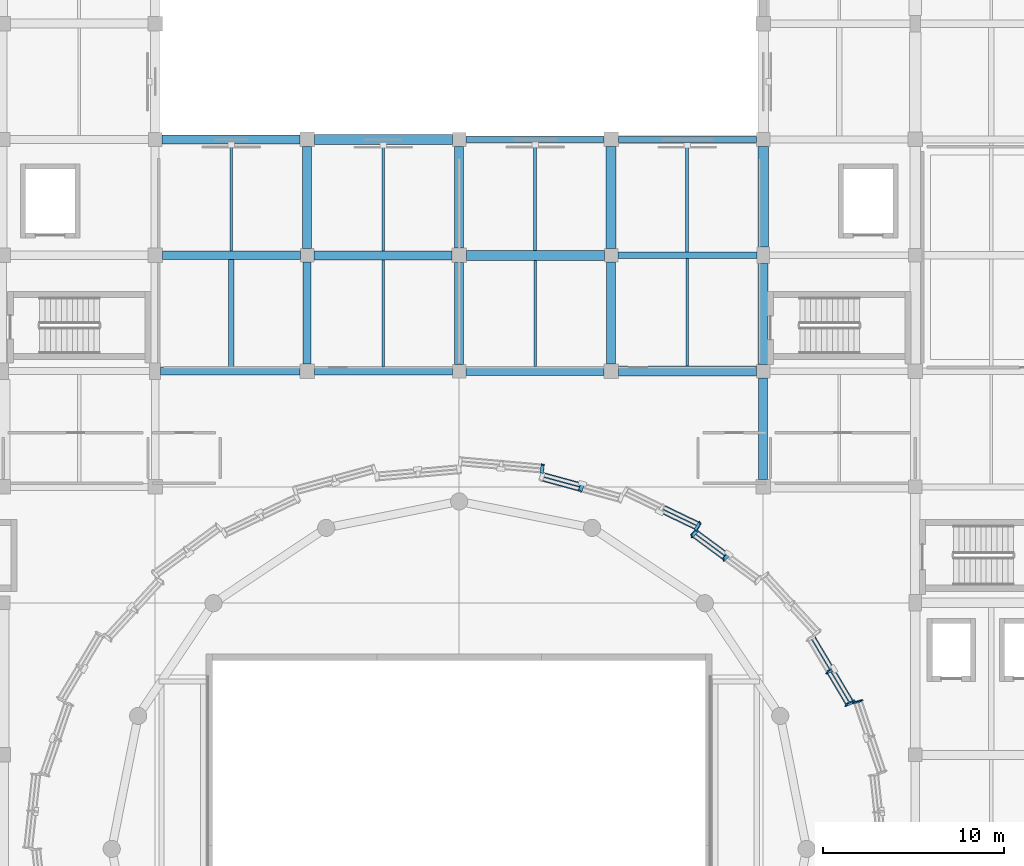
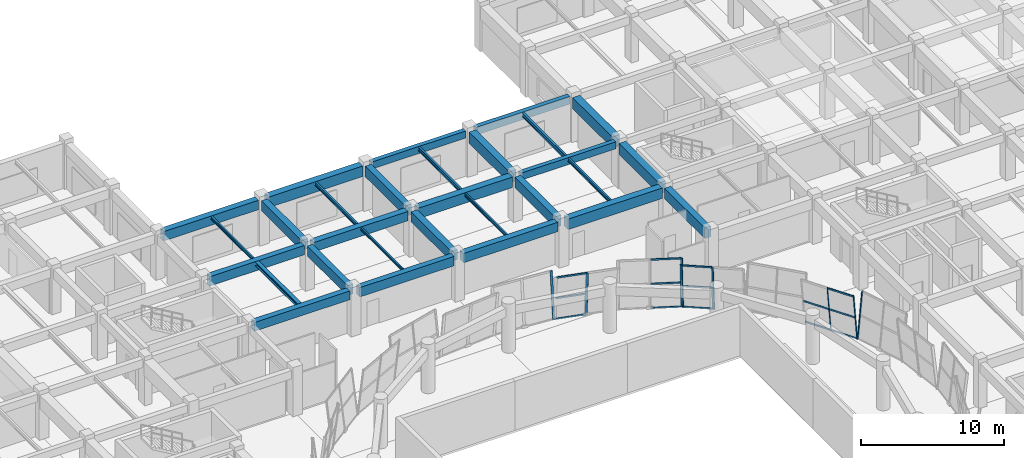
# One storey, part 36 of 71: 29 beams, 22 members, 6 elements without a shape of their own.
"""IFC4 building model written with IfcOpenShell, lengths in metres."""

import ifcopenshell
import ifcopenshell.guid

model = None  # the IFC model being written
_history = None  # IfcOwnerHistory: only IFC2X3 demands one
_inside = {}  # id of a spatial element -> (the spatial element, [elements in it])
_under = {}  # id of a project, library or spatial element -> (it, [spatial elements below it])
_declared = {}  # id of a project -> (the project, [libraries it declares])
_typed = {}  # id of a type object -> (the type object, [elements of that type])
_made_of = {}  # id of a material, layer set ... -> (it, [elements and type objects made of it])


def new_model(schema):
    """Start an empty IFC model of exactly this schema.

    Asked for "IFC4X3", IfcOpenShell would pick the latest addendum, in which some entities
    have other attributes; the version numbers below select the first issue.
    IFC2X3 requires an IfcOwnerHistory on every rooted entity: one is made here for all.
    """
    global model, _history
    if schema == "IFC4X3":
        model = ifcopenshell.file(schema_version=(4, 3, 0, 0))
    else:
        model = ifcopenshell.file(schema=schema)
    _inside.clear()
    _under.clear()
    _declared.clear()
    _typed.clear()
    _made_of.clear()
    _history = None
    if model.schema == "IFC2X3":
        org = make("IfcOrganization", Name="unknown")
        user = make(
            "IfcPersonAndOrganization",
            ThePerson=make("IfcPerson", FamilyName="unknown"),
            TheOrganization=org,
        )
        app = make(
            "IfcApplication",
            ApplicationDeveloper=org,
            Version="unknown",
            ApplicationFullName="unknown",
            ApplicationIdentifier="unknown",
        )
        _history = make(
            "IfcOwnerHistory",
            OwningUser=user,
            OwningApplication=app,
            ChangeAction="ADDED",
            CreationDate=0,
        )
    return model


def make(cls, **values):
    """One entity of the class cls with the attributes given. An attribute that is None is left unset."""
    return model.create_entity(
        cls, **{name: value for name, value in values.items() if value is not None}
    )


def rooted(cls, **values):
    """An entity with a GlobalId (a new one), such as an element, a storey or a relation."""
    return make(cls, GlobalId=ifcopenshell.guid.new(), OwnerHistory=_history, **values)


def si_unit(unit_type, name, prefix=None):
    """IfcSIUnit, for example si_unit("LENGTHUNIT", "METRE", prefix="MILLI")."""
    return make("IfcSIUnit", UnitType=unit_type, Prefix=prefix, Name=name)


def assignment(units):
    """IfcUnitAssignment: the units of a project."""
    return None if units is None else make("IfcUnitAssignment", Units=units)


def point(xyz):
    """IfcCartesianPoint."""
    return None if xyz is None else make("IfcCartesianPoint", Coordinates=xyz)


def direction(xyz):
    """IfcDirection."""
    return None if xyz is None else make("IfcDirection", DirectionRatios=xyz)


def frame(location, z_axis=None, x_axis=None):
    """IfcAxis2Placement3D, a coordinate frame: its origin and axes. An axis left out is left unset."""
    return make(
        "IfcAxis2Placement3D",
        Location=point(location),
        Axis=direction(z_axis),
        RefDirection=direction(x_axis),
    )


def frame_2d(location, x_axis=None):
    """IfcAxis2Placement2D, a coordinate frame in the plane: its origin and x axis."""
    return make(
        "IfcAxis2Placement2D", Location=point(location), RefDirection=direction(x_axis)
    )


def origin():
    """The frame at (0, 0, 0) with its axes left unset."""
    return frame((0.0, 0.0, 0.0))


def origin_2d():
    """The frame at (0, 0) in the plane with its x axis left unset."""
    return frame_2d((0.0, 0.0))


def place(relative_to, where):
    """IfcLocalPlacement: puts the frame where relative to a parent placement (None: the world)."""
    return make(
        "IfcLocalPlacement", PlacementRelTo=relative_to, RelativePlacement=where
    )


def context(
    kind, dimensions, precision=None, world=None, true_north=None, identifier=None
):
    """IfcGeometricRepresentationContext, for example the 3D "Model" context."""
    return make(
        "IfcGeometricRepresentationContext",
        ContextIdentifier=identifier,
        ContextType=kind,
        CoordinateSpaceDimension=dimensions,
        Precision=precision,
        WorldCoordinateSystem=world,
        TrueNorth=true_north,
    )


def subcontext(parent, identifier, kind, view, scale=None):
    """IfcGeometricRepresentationSubContext, for example "Body" below "Model"."""
    return make(
        "IfcGeometricRepresentationSubContext",
        ContextIdentifier=identifier,
        ContextType=kind,
        ParentContext=parent,
        TargetScale=scale,
        TargetView=view,
    )


def project(units=None, contexts=None):
    """IfcProject with its units and contexts."""
    return rooted(
        "IfcProject",
        Name="project",
        RepresentationContexts=contexts,
        UnitsInContext=assignment(units),
    )


def spatial(cls, under=None, at=None, **own):
    """A site, building, storey or space (cls), placed at a placement, below another one or the project."""
    s = rooted(cls, ObjectPlacement=at, **own)
    if under is not None:
        _under.setdefault(under.id(), (under, []))[1].append(s)
    return s


def profile(cls, at=None, kind="AREA", **sizes):
    """A parametric profile (cls). Its sizes go by their IFC names, for example OverallWidth=200.0."""
    return make(cls, ProfileType=kind, Position=at, **sizes)


def rectangle(**sizes):
    """IfcRectangleProfileDef."""
    return profile("IfcRectangleProfileDef", **sizes)


def hollow_rectangle(**sizes):
    """IfcRectangleHollowProfileDef."""
    return profile("IfcRectangleHollowProfileDef", **sizes)


def i_section(**sizes):
    """IfcIShapeProfileDef."""
    return profile("IfcIShapeProfileDef", **sizes)


def extrude(swept, where, along, depth):
    """IfcExtrudedAreaSolid: the profile swept, set in the frame where, extruded along a direction by depth."""
    return make(
        "IfcExtrudedAreaSolid",
        SweptArea=swept,
        Position=where,
        ExtrudedDirection=direction(along),
        Depth=depth,
    )


def shape(context_of_items, identifier, shape_type, items):
    """IfcShapeRepresentation: the items that make up one representation, for example the "Body"."""
    return make(
        "IfcShapeRepresentation",
        ContextOfItems=context_of_items,
        RepresentationIdentifier=identifier,
        RepresentationType=shape_type,
        Items=items,
    )


def material(Name=None, Category=None):
    """IfcMaterial."""
    return make("IfcMaterial", Name=Name, Category=Category)


def material_profile(
    of_material, cross_section, Name=None, Category=None, Priority=None
):
    """IfcMaterialProfile: a cross section and its material."""
    return make(
        "IfcMaterialProfile",
        Name=Name,
        Material=of_material,
        Profile=cross_section,
        Priority=Priority,
        Category=Category,
    )


def profile_set(profiles, Name=None, composite=None):
    """IfcMaterialProfileSet."""
    return make(
        "IfcMaterialProfileSet",
        Name=Name,
        MaterialProfiles=profiles,
        CompositeProfile=composite,
    )


def made_of(thing, what):
    """Note that an element or type object is made of a material, layer set ...; save() writes the relation."""
    if what is not None:
        _made_of.setdefault(what.id(), (what, []))[1].append(thing)
    return thing


def type_object(cls, material=None, **own):
    """A type object (cls), such as IfcWallType, which elements share."""
    return made_of(rooted(cls, **own), material)


def element(
    cls,
    number,
    at=None,
    inside=None,
    cuts=None,
    type_object=None,
    material=None,
    context=None,
    identifier="Body",
    shape_type=None,
    held_by="IfcProductDefinitionShape",
    body=None,
    shapes=None,
    **own,
):
    """One element of the class cls, such as IfcWall. Its Tag is "e" and its number.

    at: its placement. inside: the storey or other place that contains it. cuts: it is an
    opening in that element (IfcRelVoidsElement). A single representation is given by context,
    identifier, shape_type and body (its items); several are given by shapes. held_by: the class
    of the entity that holds the representations. save() writes the other relations.
    """
    e = rooted(cls, Tag="e%d" % number, ObjectPlacement=at, **own)
    if body is not None:
        shapes = [shape(context, identifier, shape_type, body)]
    if shapes is not None:
        e.Representation = make(held_by, Representations=shapes)
    if inside is not None:
        _inside.setdefault(inside.id(), (inside, []))[1].append(e)
    if cuts is not None:
        rooted(
            "IfcRelVoidsElement", RelatingBuildingElement=cuts, RelatedOpeningElement=e
        )
    if type_object is not None:
        _typed.setdefault(type_object.id(), (type_object, []))[1].append(e)
    return made_of(e, material)


def aggregate(whole, parts):
    """IfcRelAggregates: a whole, such as a stair, and the parts it consists of."""
    return rooted("IfcRelAggregates", RelatingObject=whole, RelatedObjects=parts)


def save(model, path):
    """Write the relations noted so far, then the file.

    IfcRelAggregates (storeys below a building ...), IfcRelContainedInSpatialStructure (elements
    in a storey), IfcRelDefinesByType, IfcRelAssociatesMaterial and IfcRelDeclares: one each for
    every whole, place, type object, material and project.
    """
    for whole, parts in _under.values():
        aggregate(whole, parts)
    for where, things in _inside.values():
        rooted(
            "IfcRelContainedInSpatialStructure",
            RelatedElements=things,
            RelatingStructure=where,
        )
    for kind, things in _typed.values():
        rooted("IfcRelDefinesByType", RelatedObjects=things, RelatingType=kind)
    for what, things in _made_of.values():
        rooted("IfcRelAssociatesMaterial", RelatedObjects=things, RelatingMaterial=what)
    for by, libraries in _declared.values():
        rooted("IfcRelDeclares", RelatingContext=by, RelatedDefinitions=libraries)
    model.write(path)


model = new_model("IFC4")

# Units and contexts
model_context = context("Model", 3, precision=1e-05, world=origin(), true_north=direction((0.0, 1.0)))
body_context = subcontext(model_context, "Body", "Model", "MODEL_VIEW")
ifc_project = project(units=[si_unit("LENGTHUNIT", "METRE"), si_unit("AREAUNIT", "SQUARE_METRE"), si_unit("VOLUMEUNIT", "CUBIC_METRE"), si_unit("PLANEANGLEUNIT", "RADIAN"), si_unit("MASSUNIT", "GRAM", prefix="KILO")], contexts=[model_context])

# Site, building, storey
site_placement = place(None, origin())
site = spatial("IfcSite", under=ifc_project, at=site_placement, CompositionType="ELEMENT")
building_placement = place(site_placement, origin())
building = spatial("IfcBuilding", under=site, at=building_placement, Name="Korsvaeld Concert Hall", CompositionType="ELEMENT")
storey_placement = place(building_placement, frame((0.0, 0.0, 4.800048828125)))
storey = spatial("IfcBuildingStorey", under=building, at=storey_placement, Name="L01", CompositionType="ELEMENT", Elevation=4.800048828125)

# Beams
ifc_material_1 = material(Name="Concrete C35/45", Category="concrete")
ifc_material_profile_1 = material_profile(ifc_material_1, rectangle(XDim=0.35009765625, YDim=0.60009765625, at=origin_2d()), Name="RC 350x600")
ifc_profile_set_1 = profile_set([ifc_material_profile_1], Name="Concrete C35/45")
beam_type_1 = type_object("IfcBeamType", Name="BM-RC-350x600", PredefinedType="T_BEAM", material=ifc_profile_set_1)
beam_1_placement = place(storey_placement, frame((92.77490234375, 96.0, 3.5400390625), z_axis=(1.0, 0.0, 0.0), x_axis=(0.0, 1.0, 0.0)))
element("IfcBeam", 1, at=beam_1_placement, inside=storey, type_object=beam_type_1, Name="Primary girder 13-14/P L01", PredefinedType="T_BEAM", context=body_context, shape_type="SweptSolid", body=[
    extrude(rectangle(XDim=0.35009765625, YDim=0.60009765625, at=origin_2d()), origin(), (0.0, 0.0, 1.0), 7.675048828125),
])
beam_2_placement = place(storey_placement, frame((84.375, 102.39990234375, 3.5400390625), z_axis=(1.0, 0.0, 0.0), x_axis=(0.0, 1.0, 0.0)))
element("IfcBeam", 2, at=beam_2_placement, inside=storey, type_object=beam_type_1, Name="Primary girder 12-13/Q L01", PredefinedType="T_BEAM", context=body_context, shape_type="SweptSolid", body=[
    extrude(rectangle(XDim=0.35009765625, YDim=0.60009765625, at=origin_2d()), origin(), (0.0, 0.0, 1.0), 7.625),
])
ifc_material_profile_2 = material_profile(ifc_material_1, rectangle(XDim=0.35009765625, YDim=0.64990234375, at=origin_2d()), Name="RC 350x650")
ifc_profile_set_2 = profile_set([ifc_material_profile_2], Name="Concrete C35/45")
beam_type_2 = type_object("IfcBeamType", Name="BM-RC-350x650", PredefinedType="T_BEAM", material=ifc_profile_set_2)
beam_3_placement = place(storey_placement, frame((92.800048828125, 102.39990234375, 3.514892578125), z_axis=(1.0, 0.0, 0.0), x_axis=(0.0, 1.0, 0.0)))
element("IfcBeam", 3, at=beam_3_placement, inside=storey, type_object=beam_type_2, Name="Primary girder 13-14/Q L01", PredefinedType="T_BEAM", context=body_context, shape_type="SweptSolid", body=[
    extrude(rectangle(XDim=0.35009765625, YDim=0.64990234375, at=origin_2d()), origin(), (0.0, 0.0, 1.0), 7.625),
])
ifc_material_profile_3 = material_profile(ifc_material_1, rectangle(XDim=0.449951171875, YDim=0.75, at=origin_2d()), Name="RC 450x750")
ifc_profile_set_3 = profile_set([ifc_material_profile_3], Name="Concrete C35/45")
beam_type_3 = type_object("IfcBeamType", Name="BM-RC-450x750", PredefinedType="T_BEAM", material=ifc_profile_set_3)
beam_4_placement = place(storey_placement, frame((67.5, 89.60009765625, 3.46484375), z_axis=(1.0, 0.0, 0.0), x_axis=(0.0, 1.0, 0.0)))
element("IfcBeam", 4, at=beam_4_placement, inside=storey, type_object=beam_type_3, Name="Primary girder 10-11/N L01", PredefinedType="T_BEAM", context=body_context, shape_type="SweptSolid", body=[
    extrude(rectangle(XDim=0.449951171875, YDim=0.75, at=origin_2d()), origin(), (0.0, 0.0, 1.0), 7.699951171875),
])
ifc_material_profile_4 = material_profile(ifc_material_1, rectangle(XDim=0.449951171875, YDim=0.800048828125, at=origin_2d()), Name="RC 450x800")
ifc_profile_set_4 = profile_set([ifc_material_profile_4], Name="Concrete C35/45")
beam_type_4 = type_object("IfcBeamType", Name="BM-RC-450x800", PredefinedType="T_BEAM", material=ifc_profile_set_4)
for number, where, z_axis, x_axis, name in (
    (5, (76.0, 89.60009765625, 3.43994140625), (1.0, 0.0, 0.0), (0.0, 1.0, 0.0), "Primary girder 11-12/N L01"),
    (6, (67.60009765625, 96.0, 3.43994140625), (1.0, 0.0, 0.0), (0.0, 1.0, 0.0), "Primary girder 10-11/P L01"),
):
    element("IfcBeam", number, at=place(storey_placement, frame(where, z_axis=z_axis, x_axis=x_axis)), inside=storey, type_object=beam_type_4, Name=name, PredefinedType="T_BEAM", context=body_context, shape_type="SweptSolid", body=[
        extrude(rectangle(XDim=0.449951171875, YDim=0.800048828125, at=origin_2d()), origin(), (0.0, 0.0, 1.0), 7.625),
    ])
ifc_material_2 = material(Name="Concrete C40/50", Category="concrete")
ifc_material_profile_5 = material_profile(ifc_material_2, rectangle(XDim=0.449951171875, YDim=0.85009765625, at=origin_2d()), Name="RC 450x850")
ifc_profile_set_5 = profile_set([ifc_material_profile_5], Name="Concrete C40/50")
beam_type_5 = type_object("IfcBeamType", Name="BM-RC-450x850", PredefinedType="T_BEAM", material=ifc_profile_set_5)
beam_5_placement = place(storey_placement, frame((75.60009765625, 90.0, 3.4150390625), z_axis=(0.0, 1.0, 0.0), x_axis=(-1.0, 0.0, 0.0)))
element("IfcBeam", 7, at=beam_5_placement, inside=storey, type_object=beam_type_5, Name="Primary girder 11/N-P L01", PredefinedType="T_BEAM", context=body_context, shape_type="SweptSolid", body=[
    extrude(rectangle(XDim=0.449951171875, YDim=0.85009765625, at=origin_2d()), origin(), (0.0, 0.0, 1.0), 5.625),
])
ifc_material_profile_6 = material_profile(ifc_material_2, rectangle(XDim=0.5, YDim=0.800048828125, at=origin_2d()), Name="RC 500x800")
ifc_profile_set_6 = profile_set([ifc_material_profile_6], Name="Concrete C40/50")
beam_type_6 = type_object("IfcBeamType", Name="BM-RC-500x800", PredefinedType="T_BEAM", material=ifc_profile_set_6)
for number, where, z_axis, x_axis, name in (
    (8, (84.375, 89.60009765625, 3.43994140625), (1.0, 0.0, 0.0), (0.0, 1.0, 0.0), "Primary girder 12-13/N L01"),
    (9, (75.97509765625, 96.0, 3.43994140625), (1.0, 0.0, 0.0), (0.0, 1.0, 0.0), "Primary girder 11-12/P L01"),
    (10, (67.574951171875, 102.39990234375, 3.43994140625), (1.0, 0.0, 0.0), (0.0, 1.0, 0.0), "Primary girder 10-11/Q L01"),
):
    element("IfcBeam", number, at=place(storey_placement, frame(where, z_axis=z_axis, x_axis=x_axis)), inside=storey, type_object=beam_type_6, Name=name, PredefinedType="T_BEAM", context=body_context, shape_type="SweptSolid", body=[
        extrude(rectangle(XDim=0.5, YDim=0.800048828125, at=origin_2d()), origin(), (0.0, 0.0, 1.0), 7.625),
    ])
ifc_material_profile_7 = material_profile(ifc_material_2, rectangle(XDim=0.5, YDim=0.85009765625, at=origin_2d()), Name="RC 500x850")
ifc_profile_set_7 = profile_set([ifc_material_profile_7], Name="Concrete C40/50")
beam_type_7 = type_object("IfcBeamType", Name="BM-RC-500x850", PredefinedType="T_BEAM", material=ifc_profile_set_7)
for number, where, z_axis, x_axis, name in (
    (11, (75.60009765625, 96.375, 3.4150390625), (0.0, 1.0, 0.0), (-1.0, 0.0, 0.0), "Primary girder 11/P-Q L01"),
    (12, (84.0, 89.97509765625, 3.4150390625), (0.0, 1.0, 0.0), (-1.0, 0.0, 0.0), "Primary girder 12/N-P L01"),
):
    element("IfcBeam", number, at=place(storey_placement, frame(where, z_axis=z_axis, x_axis=x_axis)), inside=storey, type_object=beam_type_7, Name=name, PredefinedType="T_BEAM", context=body_context, shape_type="SweptSolid", body=[
        extrude(rectangle(XDim=0.5, YDim=0.85009765625, at=origin_2d()), origin(), (0.0, 0.0, 1.0), 5.625),
    ])
ifc_material_profile_8 = material_profile(ifc_material_2, rectangle(XDim=0.5, YDim=0.89990234375, at=origin_2d()), Name="RC 500x900")
ifc_profile_set_8 = profile_set([ifc_material_profile_8], Name="Concrete C40/50")
beam_type_8 = type_object("IfcBeamType", Name="BM-RC-500x900", PredefinedType="T_BEAM", material=ifc_profile_set_8)
for number, where, z_axis, x_axis, name in (
    (13, (84.0, 96.39990234375, 3.389892578125), (0.0, 1.0, 0.0), (-1.0, 0.0, 0.0), "Primary girder 12/P-Q L01"),
    (14, (92.39990234375, 90.0, 3.389892578125), (0.0, 1.0, 0.0), (-1.0, 0.0, 0.0), "Primary girder 13/N-P L01"),
    (15, (100.800048828125, 83.60009765625, 3.389892578125), (0.0, 1.0, 0.0), (-1.0, 0.0, 0.0), "Primary girder 14/M-N L01"),
):
    element("IfcBeam", number, at=place(storey_placement, frame(where, z_axis=z_axis, x_axis=x_axis)), inside=storey, type_object=beam_type_8, Name=name, PredefinedType="T_BEAM", context=body_context, shape_type="SweptSolid", body=[
        extrude(rectangle(XDim=0.5, YDim=0.89990234375, at=origin_2d()), origin(), (0.0, 0.0, 1.0), 5.625),
    ])
ifc_material_profile_9 = material_profile(ifc_material_2, rectangle(XDim=0.550048828125, YDim=0.89990234375, at=origin_2d()), Name="RC 550x900")
ifc_profile_set_9 = profile_set([ifc_material_profile_9], Name="Concrete C40/50")
beam_type_9 = type_object("IfcBeamType", Name="BM-RC-550x900", PredefinedType="T_BEAM", material=ifc_profile_set_9)
for number, where, z_axis, x_axis, name in (
    (16, (92.800048828125, 89.60009765625, 3.389892578125), (1.0, 0.0, 0.0), (0.0, 1.0, 0.0), "Primary girder 13-14/N L01"),
    (17, (84.39990234375, 96.0, 3.389892578125), (1.0, 0.0, 0.0), (0.0, 1.0, 0.0), "Primary girder 12-13/P L01"),
    (18, (76.0, 102.39990234375, 3.389892578125), (1.0, 0.0, 0.0), (0.0, 1.0, 0.0), "Primary girder 11-12/Q L01"),
):
    element("IfcBeam", number, at=place(storey_placement, frame(where, z_axis=z_axis, x_axis=x_axis)), inside=storey, type_object=beam_type_9, Name=name, PredefinedType="T_BEAM", context=body_context, shape_type="SweptSolid", body=[
        extrude(rectangle(XDim=0.550048828125, YDim=0.89990234375, at=origin_2d()), origin(), (0.0, 0.0, 1.0), 7.625),
    ])
ifc_material_profile_10 = material_profile(ifc_material_2, rectangle(XDim=0.550048828125, YDim=0.949951171875, at=origin_2d()), Name="RC 550x950")
ifc_profile_set_10 = profile_set([ifc_material_profile_10], Name="Concrete C40/50")
beam_type_10 = type_object("IfcBeamType", Name="BM-RC-550x950", PredefinedType="T_BEAM", material=ifc_profile_set_10)
beam_6_placement = place(storey_placement, frame((92.39990234375, 96.375, 3.364990234375), z_axis=(0.0, 1.0, 0.0), x_axis=(-1.0, 0.0, 0.0)))
element("IfcBeam", 19, at=beam_6_placement, inside=storey, type_object=beam_type_10, Name="Primary girder 13/P-Q L01", PredefinedType="T_BEAM", context=body_context, shape_type="SweptSolid", body=[
    extrude(rectangle(XDim=0.550048828125, YDim=0.949951171875, at=origin_2d()), origin(), (0.0, 0.0, 1.0), 5.625),
])
beam_7_placement = place(storey_placement, frame((100.800048828125, 89.97509765625, 3.364990234375), z_axis=(0.0, 1.0, 0.0), x_axis=(-1.0, 0.0, 0.0)))
element("IfcBeam", 20, at=beam_7_placement, inside=storey, type_object=beam_type_10, Name="Primary girder 14/N-P L01", PredefinedType="T_BEAM", context=body_context, shape_type="SweptSolid", body=[
    extrude(rectangle(XDim=0.550048828125, YDim=0.949951171875, at=origin_2d()), origin(), (0.0, 0.0, 1.0), 5.574951171875),
])
ifc_material_profile_11 = material_profile(ifc_material_2, rectangle(XDim=0.60009765625, YDim=0.949951171875, at=origin_2d()), Name="RC 600x950")
ifc_profile_set_11 = profile_set([ifc_material_profile_11], Name="Concrete C40/50")
beam_type_11 = type_object("IfcBeamType", Name="BM-RC-600x950", PredefinedType="T_BEAM", material=ifc_profile_set_11)
beam_8_placement = place(storey_placement, frame((100.800048828125, 96.449951171875, 3.364990234375), z_axis=(0.0, 1.0, 0.0), x_axis=(-1.0, 0.0, 0.0)))
element("IfcBeam", 21, at=beam_8_placement, inside=storey, type_object=beam_type_11, Name="Primary girder 14/P-Q L01", PredefinedType="T_BEAM", context=body_context, shape_type="SweptSolid", body=[
    extrude(rectangle(XDim=0.60009765625, YDim=0.949951171875, at=origin_2d()), origin(), (0.0, 0.0, 1.0), 5.574951171875),
])
ifc_material_3 = material(Name="Steel S355J2", Category="steel")
ifc_material_profile_12 = material_profile(ifc_material_3, i_section(OverallWidth=0.300048828125, OverallDepth=0.35009765625, WebThickness=0.010009765625, FlangeThickness=0.017578125, FilletRadius=0.027099609375, at=origin_2d()), Name="HEA 360")
ifc_profile_set_12 = profile_set([ifc_material_profile_12], Name="Steel S355J2")
beam_type_12 = type_object("IfcBeamType", Name="BM-STL-HEA360", PredefinedType="BEAM", material=ifc_profile_set_12)
beam_9_placement = place(storey_placement, frame((71.39990234375, 89.824951171875, 3.6650390625), z_axis=(0.0, 1.0, 0.0), x_axis=(-1.0, 0.0, 0.0)))
element("IfcBeam", 22, at=beam_9_placement, inside=storey, type_object=beam_type_12, Name="Secondary steel floor beam 10-11/N L01", PredefinedType="BEAM", context=body_context, shape_type="SweptSolid", body=[
    extrude(i_section(OverallWidth=0.300048828125, OverallDepth=0.35009765625, WebThickness=0.010009765625, FlangeThickness=0.017578125, FilletRadius=0.027099609375, at=origin_2d()), origin(), (0.0, 0.0, 1.0), 5.949951171875),
])
ifc_material_profile_13 = material_profile(ifc_material_3, i_section(OverallWidth=0.1201171875, OverallDepth=0.239990234375, WebThickness=0.006103515625, FlangeThickness=0.009765625, FilletRadius=0.014892578125, at=origin_2d()), Name="IPE 240")
ifc_profile_set_13 = profile_set([ifc_material_profile_13], Name="Steel S355J2")
beam_type_13 = type_object("IfcBeamType", Name="BM-STL-IPE240", PredefinedType="JOIST", material=ifc_profile_set_13)
beam_10_placement = place(storey_placement, frame((79.800048828125, 89.824951171875, 3.719970703125), z_axis=(0.0, 1.0, 0.0), x_axis=(-1.0, 0.0, 0.0)))
element("IfcBeam", 23, at=beam_10_placement, inside=storey, type_object=beam_type_13, Name="Secondary steel floor beam 11-12/N L01", PredefinedType="JOIST", context=body_context, shape_type="SweptSolid", body=[
    extrude(i_section(OverallWidth=0.1201171875, OverallDepth=0.239990234375, WebThickness=0.006103515625, FlangeThickness=0.009765625, FilletRadius=0.014892578125, at=origin_2d()), origin(), (0.0, 0.0, 1.0), 5.925048828125),
])
ifc_material_profile_14 = material_profile(ifc_material_3, i_section(OverallWidth=0.135009765625, OverallDepth=0.27001953125, WebThickness=0.006591796875, FlangeThickness=0.01025390625, FilletRadius=0.014892578125, at=origin_2d()), Name="IPE 270")
ifc_profile_set_14 = profile_set([ifc_material_profile_14], Name="Steel S355J2")
beam_type_14 = type_object("IfcBeamType", Name="BM-STL-IPE270", PredefinedType="JOIST", material=ifc_profile_set_14)
beam_11_placement = place(storey_placement, frame((71.39990234375, 96.22509765625, 3.704833984375), z_axis=(0.0, 1.0, 0.0), x_axis=(-1.0, 0.0, 0.0)))
element("IfcBeam", 24, at=beam_11_placement, inside=storey, type_object=beam_type_14, Name="Secondary steel floor beam 10-11/P L01", PredefinedType="JOIST", context=body_context, shape_type="SweptSolid", body=[
    extrude(i_section(OverallWidth=0.135009765625, OverallDepth=0.27001953125, WebThickness=0.006591796875, FlangeThickness=0.01025390625, FilletRadius=0.014892578125, at=origin_2d()), origin(), (0.0, 0.0, 1.0), 5.9248046875),
])
beam_12_placement = place(storey_placement, frame((88.199951171875, 89.85009765625, 3.704833984375), z_axis=(0.0, 1.0, 0.0), x_axis=(-1.0, 0.0, 0.0)))
element("IfcBeam", 25, at=beam_12_placement, inside=storey, type_object=beam_type_14, Name="Secondary steel floor beam 12-13/N L01", PredefinedType="JOIST", context=body_context, shape_type="SweptSolid", body=[
    extrude(i_section(OverallWidth=0.135009765625, OverallDepth=0.27001953125, WebThickness=0.006591796875, FlangeThickness=0.01025390625, FilletRadius=0.014892578125, at=origin_2d()), origin(), (0.0, 0.0, 1.0), 5.875),
])
ifc_material_profile_15 = material_profile(ifc_material_3, i_section(OverallWidth=0.14990234375, OverallDepth=0.300048828125, WebThickness=0.007080078125, FlangeThickness=0.0107421875, FilletRadius=0.014892578125, at=origin_2d()), Name="IPE 300")
ifc_profile_set_15 = profile_set([ifc_material_profile_15], Name="Steel S355J2")
beam_type_15 = type_object("IfcBeamType", Name="BM-STL-IPE300", PredefinedType="JOIST", material=ifc_profile_set_15)
beam_13_placement = place(storey_placement, frame((79.800048828125, 96.25, 3.68994140625), z_axis=(0.0, 1.0, 0.0), x_axis=(-1.0, 0.0, 0.0)))
element("IfcBeam", 26, at=beam_13_placement, inside=storey, type_object=beam_type_15, Name="Secondary steel floor beam 11-12/P L01", PredefinedType="JOIST", context=body_context, shape_type="SweptSolid", body=[
    extrude(i_section(OverallWidth=0.14990234375, OverallDepth=0.300048828125, WebThickness=0.007080078125, FlangeThickness=0.0107421875, FilletRadius=0.014892578125, at=origin_2d()), origin(), (0.0, 0.0, 1.0), 5.875),
])
beam_14_placement = place(storey_placement, frame((96.60009765625, 89.875, 3.68994140625), z_axis=(0.0, 1.0, 0.0), x_axis=(-1.0, 0.0, 0.0)))
element("IfcBeam", 27, at=beam_14_placement, inside=storey, type_object=beam_type_15, Name="Secondary steel floor beam 13-14/N L01", PredefinedType="JOIST", context=body_context, shape_type="SweptSolid", body=[
    extrude(i_section(OverallWidth=0.14990234375, OverallDepth=0.300048828125, WebThickness=0.007080078125, FlangeThickness=0.0107421875, FilletRadius=0.014892578125, at=origin_2d()), origin(), (0.0, 0.0, 1.0), 5.949951171875),
])
ifc_material_profile_16 = material_profile(ifc_material_3, i_section(OverallWidth=0.159912109375, OverallDepth=0.330078125, WebThickness=0.007568359375, FlangeThickness=0.011474609375, FilletRadius=0.01806640625, at=origin_2d()), Name="IPE 330")
ifc_profile_set_16 = profile_set([ifc_material_profile_16], Name="Steel S355J2")
beam_type_16 = type_object("IfcBeamType", Name="BM-STL-IPE330", PredefinedType="BEAM", material=ifc_profile_set_16)
beam_15_placement = place(storey_placement, frame((88.199951171875, 96.27490234375, 3.675048828125), z_axis=(0.0, 1.0, 0.0), x_axis=(-1.0, 0.0, 0.0)))
element("IfcBeam", 28, at=beam_15_placement, inside=storey, type_object=beam_type_16, Name="Secondary steel floor beam 12-13/P L01", PredefinedType="BEAM", context=body_context, shape_type="SweptSolid", body=[
    extrude(i_section(OverallWidth=0.159912109375, OverallDepth=0.330078125, WebThickness=0.007568359375, FlangeThickness=0.011474609375, FilletRadius=0.01806640625, at=origin_2d()), origin(), (0.0, 0.0, 1.0), 5.9501953125),
])
ifc_material_profile_17 = material_profile(ifc_material_3, i_section(OverallWidth=0.169921875, OverallDepth=0.360107421875, WebThickness=0.008056640625, FlangeThickness=0.0126953125, FilletRadius=0.01806640625, at=origin_2d()), Name="IPE 360")
ifc_profile_set_17 = profile_set([ifc_material_profile_17], Name="Steel S355J2")
beam_type_17 = type_object("IfcBeamType", Name="BM-STL-IPE360", PredefinedType="BEAM", material=ifc_profile_set_17)
beam_16_placement = place(storey_placement, frame((96.60009765625, 96.175048828125, 3.659912109375), z_axis=(0.0, 1.0, 0.0), x_axis=(-1.0, 0.0, 0.0)))
element("IfcBeam", 29, at=beam_16_placement, inside=storey, type_object=beam_type_17, Name="Secondary steel floor beam 13-14/P L01", PredefinedType="BEAM", context=body_context, shape_type="SweptSolid", body=[
    extrude(i_section(OverallWidth=0.169921875, OverallDepth=0.360107421875, WebThickness=0.008056640625, FlangeThickness=0.0126953125, FilletRadius=0.01806640625, at=origin_2d()), origin(), (0.0, 0.0, 1.0), 6.050048828125),
])

# Curtain wall, member
ifc_material_4 = material(Name="Anodised bronze and ceramic-fritted safety glass", Category="glass")
curtain_wall_type_1 = type_object("IfcCurtainWallType", Name="CW-TYPE-02", PredefinedType="USERDEFINED", material=ifc_material_4)
curtain_wall_1_placement = place(storey_placement, origin())
curtain_wall_1 = element("IfcCurtainWall", 30, at=curtain_wall_1_placement, inside=storey, type_object=curtain_wall_type_1, Name="Crystal curtain-wall facet L01 F02", ObjectType="CURTAIN WALL", PredefinedType="USERDEFINED")
ifc_material_5 = material(Name="Anodised architectural bronze aluminium", Category="aluminium")
ifc_material_profile_18 = material_profile(ifc_material_5, hollow_rectangle(XDim=0.074951171875, YDim=0.179931640625, WallThickness=0.0048828125, at=origin_2d()), Name="CWM 180x75x5")
ifc_profile_set_18 = profile_set([ifc_material_profile_18], Name="Anodised architectural bronze aluminium")
member_type_1 = type_object("IfcMemberType", Name="CWM-BRONZE-180x75", PredefinedType="MULLION", material=ifc_profile_set_18)
member_1_placement = place(storey_placement, frame((105.815673828125, 71.27734375, 0.0), z_axis=(0.109222864708, 0.029759635719, 0.993571703455), x_axis=(0.555751470455, -0.830559253027, -0.036216436851)))
member_1 = element("IfcMember", 31, at=member_1_placement, type_object=member_type_1, Name="CW-CRYS-L01-F02 crystal mullion 3", PredefinedType="MULLION", context=body_context, shape_type="SweptSolid", body=[
    extrude(hollow_rectangle(XDim=0.074951171875, YDim=0.179931640625, WallThickness=0.0048828125, at=origin_2d()), origin(), (0.0, 0.0, 1.0), 3.905029296875),
])
aggregate(curtain_wall_1, [member_1])

curtain_wall_type_2 = type_object("IfcCurtainWallType", Name="CW-TYPE-06", PredefinedType="USERDEFINED", material=ifc_material_4)
curtain_wall_2_placement = place(storey_placement, origin())
curtain_wall_2 = element("IfcCurtainWall", 32, at=curtain_wall_2_placement, inside=storey, type_object=curtain_wall_type_2, Name="Crystal curtain-wall facet L01 F06", ObjectType="CURTAIN WALL", PredefinedType="USERDEFINED")
member_2_placement = place(storey_placement, frame((97.07763671875, 80.843505859375, 0.0), z_axis=(0.057893742062, 0.097281493141, 0.993571651026), x_axis=(0.829999138773, 0.548349174532, -0.102052008437)))
member_2 = element("IfcMember", 33, at=member_2_placement, type_object=member_type_1, Name="CW-CRYS-L01-F06 crystal mullion 1", PredefinedType="MULLION", context=body_context, shape_type="SweptSolid", body=[
    extrude(hollow_rectangle(XDim=0.074951171875, YDim=0.179931640625, WallThickness=0.0048828125, at=origin_2d()), origin(), (0.0, 0.0, 1.0), 3.905029296875),
])

curtain_wall_type_3 = type_object("IfcCurtainWallType", Name="CW-TYPE-08", PredefinedType="USERDEFINED", material=ifc_material_4)
curtain_wall_3_placement = place(storey_placement, origin())
curtain_wall_3 = element("IfcCurtainWall", 34, at=curtain_wall_3_placement, inside=storey, type_object=curtain_wall_type_3, Name="Crystal curtain-wall facet L01 F08", ObjectType="CURTAIN WALL", PredefinedType="USERDEFINED")
member_3_placement = place(storey_placement, frame((88.566650390625, 83.995849609375, 0.0), z_axis=(0.012378993159, 0.11253630145, 0.993570501466), x_axis=(0.195828135114, 0.974132056409, -0.112774457103)))
member_3 = element("IfcMember", 35, at=member_3_placement, type_object=member_type_1, Name="CW-CRYS-L01-F08 crystal mullion 1", PredefinedType="MULLION", context=body_context, shape_type="SweptSolid", body=[
    extrude(hollow_rectangle(XDim=0.074951171875, YDim=0.179931640625, WallThickness=0.0048828125, at=origin_2d()), origin(), (0.0, 0.0, 1.0), 3.905029296875),
])
aggregate(curtain_wall_3, [member_3])

# Curtain wall, members
curtain_wall_type_4 = type_object("IfcCurtainWallType", Name="CW-TYPE-03", PredefinedType="USERDEFINED", material=ifc_material_4)
curtain_wall_4_placement = place(storey_placement, origin())
curtain_wall_4 = element("IfcCurtainWall", 36, at=curtain_wall_4_placement, inside=storey, type_object=curtain_wall_type_4, Name="Crystal curtain-wall facet L01 F03", ObjectType="CURTAIN WALL", PredefinedType="USERDEFINED")
ifc_material_profile_19 = material_profile(ifc_material_5, hollow_rectangle(XDim=0.074951171875, YDim=0.219970703125, WallThickness=0.006103515625, at=origin_2d()), Name="CWM 220x75x6")
ifc_profile_set_19 = profile_set([ifc_material_profile_19], Name="Anodised architectural bronze aluminium")
member_type_2 = type_object("IfcMemberType", Name="CWM-BRONZE-220x75", PredefinedType="MULLION", material=ifc_profile_set_19)
member_4_placement = place(storey_placement, frame((105.784423828125, 71.34521484375, 0.0), z_axis=(-0.102033137454, -0.049015918973, 0.993572684079), x_axis=(-0.830085566012, 0.554623769939, -0.057882872395)))
member_4 = element("IfcMember", 37, at=member_4_placement, type_object=member_type_2, Name="CW-CRYS-L01-F03 crystal mullion 1", PredefinedType="MULLION", context=body_context, shape_type="SweptSolid", body=[
    extrude(hollow_rectangle(XDim=0.074951171875, YDim=0.219970703125, WallThickness=0.006103515625, at=origin_2d()), origin(), (0.0, 0.0, 1.0), 3.905029296875),
])
member_5_placement = place(storey_placement, frame((104.713134765625, 73.1455078125, 0.0), z_axis=(-0.102033137454, -0.049015918973, 0.993572684079), x_axis=(-0.830085566012, 0.554623769939, -0.057882872395)))
member_5 = element("IfcMember", 38, at=member_5_placement, type_object=member_type_2, Name="CW-CRYS-L01-F03 crystal mullion 2", PredefinedType="MULLION", context=body_context, shape_type="SweptSolid", body=[
    extrude(hollow_rectangle(XDim=0.074951171875, YDim=0.219970703125, WallThickness=0.006103515625, at=origin_2d()), origin(), (0.0, 0.0, 1.0), 3.905029296875),
])

curtain_wall_type_5 = type_object("IfcCurtainWallType", Name="CW-TYPE-05", PredefinedType="USERDEFINED", material=ifc_material_4)
curtain_wall_5_placement = place(storey_placement, origin())
curtain_wall_5 = element("IfcCurtainWall", 39, at=curtain_wall_5_placement, inside=storey, type_object=curtain_wall_type_5, Name="Crystal curtain-wall facet L01 F05", ObjectType="CURTAIN WALL", PredefinedType="USERDEFINED")
member_6_placement = place(storey_placement, frame((98.899658203125, 79.509033203125, 0.0), z_axis=(-0.076399398433, -0.083589194521, 0.993567299421), x_axis=(-0.977549491387, -0.189970185789, -0.091149988477)))
member_6 = element("IfcMember", 40, at=member_6_placement, type_object=member_type_2, Name="CW-CRYS-L01-F05 crystal mullion 2", PredefinedType="MULLION", context=body_context, shape_type="SweptSolid", body=[
    extrude(hollow_rectangle(XDim=0.074951171875, YDim=0.219970703125, WallThickness=0.006103515625, at=origin_2d()), origin(), (0.0, 0.0, 1.0), 3.905029296875),
])
member_7_placement = place(storey_placement, frame((97.1416015625, 80.804931640625, 0.0), z_axis=(-0.076337242942, -0.083589593623, 0.993572043275), x_axis=(-0.97747454033, -0.190371504957, -0.091116480989)))
member_7 = element("IfcMember", 41, at=member_7_placement, type_object=member_type_2, Name="CW-CRYS-L01-F05 crystal mullion 3", PredefinedType="MULLION", context=body_context, shape_type="SweptSolid", body=[
    extrude(hollow_rectangle(XDim=0.074951171875, YDim=0.219970703125, WallThickness=0.006103515625, at=origin_2d()), origin(), (0.0, 0.0, 1.0), 3.905029296875),
])

# Curtain wall, member
curtain_wall_type_6 = type_object("IfcCurtainWallType", Name="CW-TYPE-07", PredefinedType="USERDEFINED", material=ifc_material_4)
curtain_wall_6_placement = place(storey_placement, origin())
curtain_wall_6 = element("IfcCurtainWall", 42, at=curtain_wall_6_placement, inside=storey, type_object=curtain_wall_type_6, Name="Crystal curtain-wall facet L01 F07", ObjectType="CURTAIN WALL", PredefinedType="USERDEFINED")
member_8_placement = place(storey_placement, frame((90.817626953125, 83.389404296875, 0.0), z_axis=(-0.036199127939, -0.107284462077, 0.993569155788), x_axis=(-0.555586106848, -0.82425112305, -0.109243599485)))
member_8 = element("IfcMember", 43, at=member_8_placement, type_object=member_type_2, Name="CW-CRYS-L01-F07 crystal mullion 2", PredefinedType="MULLION", context=body_context, shape_type="SweptSolid", body=[
    extrude(hollow_rectangle(XDim=0.074951171875, YDim=0.219970703125, WallThickness=0.006103515625, at=origin_2d()), origin(), (0.0, 0.0, 1.0), 3.905029296875),
])

# Member
ifc_material_profile_20 = material_profile(ifc_material_5, hollow_rectangle(XDim=0.06005859375, YDim=0.139892578125, WallThickness=0.00390625, at=origin_2d()), Name="CWT 140x60x4")
ifc_profile_set_20 = profile_set([ifc_material_profile_20], Name="Anodised architectural bronze aluminium")
member_type_3 = type_object("IfcMemberType", Name="CWT-BRONZE-140x60", PredefinedType="USERDEFINED", material=ifc_profile_set_20)
member_9_placement = place(storey_placement, frame((105.76220703125, 71.3759765625, 0.030029296875), z_axis=(-0.511381861684, 0.859353589357, 0.0), x_axis=(-0.859353589357, -0.511381861684, 0.0)))
member_9 = element("IfcMember", 44, at=member_9_placement, type_object=member_type_3, Name="CW-CRYS-L01-F03 crystal transom 1.1", ObjectType="TRANSOM", PredefinedType="USERDEFINED", context=body_context, shape_type="SweptSolid", body=[
    extrude(hollow_rectangle(XDim=0.06005859375, YDim=0.139892578125, WallThickness=0.00390625, at=origin_2d()), origin(), (0.0, 0.0, 1.0), 2.02001953125),
])

member_10_placement = place(storey_placement, frame((105.56591796875, 71.28173828125, 1.93994140625), z_axis=(-0.511381861684, 0.859353589357, 0.0), x_axis=(-0.859353589357, -0.511381861684, 0.0)))
member_10 = element("IfcMember", 45, at=member_10_placement, type_object=member_type_3, Name="CW-CRYS-L01-F03 crystal transom 1.2", ObjectType="TRANSOM", PredefinedType="USERDEFINED", context=body_context, shape_type="SweptSolid", body=[
    extrude(hollow_rectangle(XDim=0.06005859375, YDim=0.139892578125, WallThickness=0.00390625, at=origin_2d()), origin(), (0.0, 0.0, 1.0), 2.02001953125),
])

member_11_placement = place(storey_placement, frame((105.369873046875, 71.1875, 3.849853515625), z_axis=(-0.511381861684, 0.859353589357, 0.0), x_axis=(-0.859353589357, -0.511381861684, 0.0)))
member_11 = element("IfcMember", 46, at=member_11_placement, type_object=member_type_3, Name="CW-CRYS-L01-F03 crystal transom 1.3", ObjectType="TRANSOM", PredefinedType="USERDEFINED", context=body_context, shape_type="SweptSolid", body=[
    extrude(hollow_rectangle(XDim=0.06005859375, YDim=0.139892578125, WallThickness=0.00390625, at=origin_2d()), origin(), (0.0, 0.0, 1.0), 2.02001953125),
])

member_12_placement = place(storey_placement, frame((104.69091796875, 73.17626953125, 0.030029296875), z_axis=(-0.511381861684, 0.859353589357, 0.0), x_axis=(-0.859353589357, -0.511381861684, 0.0)))
member_12 = element("IfcMember", 47, at=member_12_placement, type_object=member_type_3, Name="CW-CRYS-L01-F03 crystal transom 2.1", ObjectType="TRANSOM", PredefinedType="USERDEFINED", context=body_context, shape_type="SweptSolid", body=[
    extrude(hollow_rectangle(XDim=0.06005859375, YDim=0.139892578125, WallThickness=0.00390625, at=origin_2d()), origin(), (0.0, 0.0, 1.0), 2.02001953125),
])

member_13_placement = place(storey_placement, frame((104.49462890625, 73.08203125, 1.93994140625), z_axis=(-0.511292595627, 0.859406703288, 0.0), x_axis=(-0.859406703288, -0.511292595627, 0.0)))
member_13 = element("IfcMember", 48, at=member_13_placement, type_object=member_type_3, Name="CW-CRYS-L01-F03 crystal transom 2.2", ObjectType="TRANSOM", PredefinedType="USERDEFINED", context=body_context, shape_type="SweptSolid", body=[
    extrude(hollow_rectangle(XDim=0.06005859375, YDim=0.139892578125, WallThickness=0.00390625, at=origin_2d()), origin(), (0.0, 0.0, 1.0), 2.019775390625),
])

aggregate(curtain_wall_4, [member_4, member_5, member_9, member_10, member_11, member_12, member_13])

member_14_placement = place(storey_placement, frame((98.8671875, 79.528564453125, 0.030029296875), z_axis=(-0.804849215574, 0.593479351107, 0.0), x_axis=(-0.593479351107, -0.804849215574, 0.0)))
member_14 = element("IfcMember", 49, at=member_14_placement, type_object=member_type_3, Name="CW-CRYS-L01-F05 crystal transom 2.1", ObjectType="TRANSOM", PredefinedType="USERDEFINED", context=body_context, shape_type="SweptSolid", body=[
    extrude(hollow_rectangle(XDim=0.06005859375, YDim=0.139892578125, WallThickness=0.00390625, at=origin_2d()), origin(), (0.0, 0.0, 1.0), 2.109130859375),
])

member_15_placement = place(storey_placement, frame((98.72021484375, 79.367919921875, 1.93994140625), z_axis=(-0.804849215574, 0.593479351107, 0.0), x_axis=(-0.593479351107, -0.804849215574, 0.0)))
member_15 = element("IfcMember", 50, at=member_15_placement, type_object=member_type_3, Name="CW-CRYS-L01-F05 crystal transom 2.2", ObjectType="TRANSOM", PredefinedType="USERDEFINED", context=body_context, shape_type="SweptSolid", body=[
    extrude(hollow_rectangle(XDim=0.06005859375, YDim=0.139892578125, WallThickness=0.00390625, at=origin_2d()), origin(), (0.0, 0.0, 1.0), 2.109130859375),
])

member_16_placement = place(storey_placement, frame((98.573486328125, 79.207275390625, 3.849853515625), z_axis=(-0.804904507896, 0.593404358906, 0.0), x_axis=(-0.593404358906, -0.804904507896, 0.0)))
member_16 = element("IfcMember", 51, at=member_16_placement, type_object=member_type_3, Name="CW-CRYS-L01-F05 crystal transom 2.3", ObjectType="TRANSOM", PredefinedType="USERDEFINED", context=body_context, shape_type="SweptSolid", body=[
    extrude(hollow_rectangle(XDim=0.06005859375, YDim=0.139892578125, WallThickness=0.00390625, at=origin_2d()), origin(), (0.0, 0.0, 1.0), 2.10888671875),
])

aggregate(curtain_wall_5, [member_6, member_7, member_14, member_15, member_16])

member_17_placement = place(storey_placement, frame((97.045654296875, 80.862548828125, 0.030029296875), z_axis=(-0.901464591462, 0.432852850679, 0.0), x_axis=(-0.432852850679, -0.901464591462, 0.0)))
member_17 = element("IfcMember", 52, at=member_17_placement, type_object=member_type_3, Name="CW-CRYS-L01-F06 crystal transom 1.1", ObjectType="TRANSOM", PredefinedType="USERDEFINED", context=body_context, shape_type="SweptSolid", body=[
    extrude(hollow_rectangle(XDim=0.06005859375, YDim=0.139892578125, WallThickness=0.00390625, at=origin_2d()), origin(), (0.0, 0.0, 1.0), 2.150634765625),
])

member_18_placement = place(storey_placement, frame((97.156982421875, 81.049560546875, 1.93994140625), z_axis=(-0.901464591462, 0.432852850679, 0.0), x_axis=(-0.432852850679, -0.901464591462, 0.0)))
member_18 = element("IfcMember", 53, at=member_18_placement, type_object=member_type_3, Name="CW-CRYS-L01-F06 crystal transom 1.2", ObjectType="TRANSOM", PredefinedType="USERDEFINED", context=body_context, shape_type="SweptSolid", body=[
    extrude(hollow_rectangle(XDim=0.06005859375, YDim=0.139892578125, WallThickness=0.00390625, at=origin_2d()), origin(), (0.0, 0.0, 1.0), 2.150634765625),
])

member_19_placement = place(storey_placement, frame((97.268310546875, 81.236572265625, 3.849853515625), z_axis=(-0.901464591462, 0.432852850679, 0.0), x_axis=(-0.432852850679, -0.901464591462, 0.0)))
member_19 = element("IfcMember", 54, at=member_19_placement, type_object=member_type_3, Name="CW-CRYS-L01-F06 crystal transom 1.3", ObjectType="TRANSOM", PredefinedType="USERDEFINED", context=body_context, shape_type="SweptSolid", body=[
    extrude(hollow_rectangle(XDim=0.06005859375, YDim=0.139892578125, WallThickness=0.00390625, at=origin_2d()), origin(), (0.0, 0.0, 1.0), 2.150634765625),
])

aggregate(curtain_wall_2, [member_2, member_17, member_18, member_19])

member_20_placement = place(storey_placement, frame((90.780517578125, 83.39599609375, 0.030029296875), z_axis=(-0.964812863187, 0.26293751925, 0.0), x_axis=(-0.26293751925, -0.964812863187, 0.0)))
member_20 = element("IfcMember", 55, at=member_20_placement, type_object=member_type_3, Name="CW-CRYS-L01-F07 crystal transom 2.1", ObjectType="TRANSOM", PredefinedType="USERDEFINED", context=body_context, shape_type="SweptSolid", body=[
    extrude(hollow_rectangle(XDim=0.06005859375, YDim=0.139892578125, WallThickness=0.00390625, at=origin_2d()), origin(), (0.0, 0.0, 1.0), 2.181884765625),
])

member_21_placement = place(storey_placement, frame((90.710693359375, 83.18994140625, 1.93994140625), z_axis=(-0.964833511963, 0.262861739689, 0.0), x_axis=(-0.262861739689, -0.964833511963, 0.0)))
member_21 = element("IfcMember", 56, at=member_21_placement, type_object=member_type_3, Name="CW-CRYS-L01-F07 crystal transom 2.2", ObjectType="TRANSOM", PredefinedType="USERDEFINED", context=body_context, shape_type="SweptSolid", body=[
    extrude(hollow_rectangle(XDim=0.06005859375, YDim=0.139892578125, WallThickness=0.00390625, at=origin_2d()), origin(), (0.0, 0.0, 1.0), 2.181640625),
])

member_22_placement = place(storey_placement, frame((90.64111328125, 82.983642578125, 3.849853515625), z_axis=(-0.964805126409, 0.262965906641, 0.0), x_axis=(-0.262965906641, -0.964805126409, 0.0)))
member_22 = element("IfcMember", 57, at=member_22_placement, type_object=member_type_3, Name="CW-CRYS-L01-F07 crystal transom 2.3", ObjectType="TRANSOM", PredefinedType="USERDEFINED", context=body_context, shape_type="SweptSolid", body=[
    extrude(hollow_rectangle(XDim=0.06005859375, YDim=0.139892578125, WallThickness=0.00390625, at=origin_2d()), origin(), (0.0, 0.0, 1.0), 2.181884765625),
])

aggregate(curtain_wall_6, [member_8, member_20, member_21, member_22])

save(model, "model.ifc")
